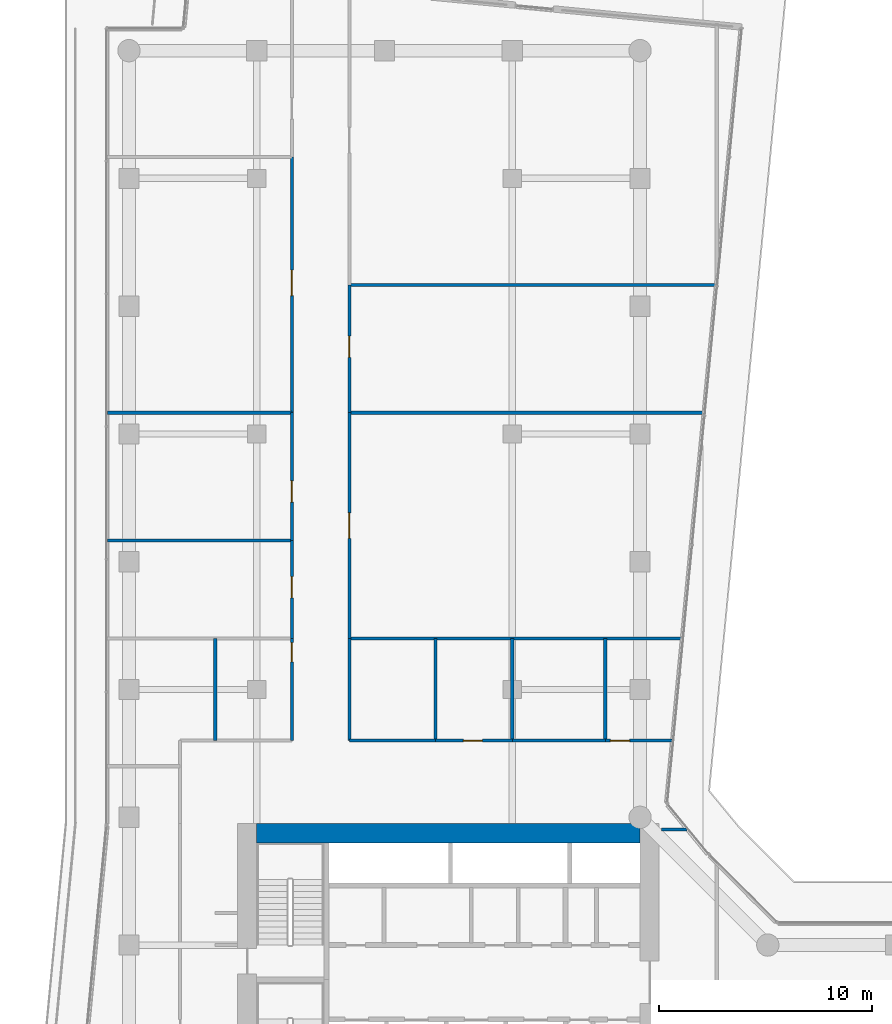
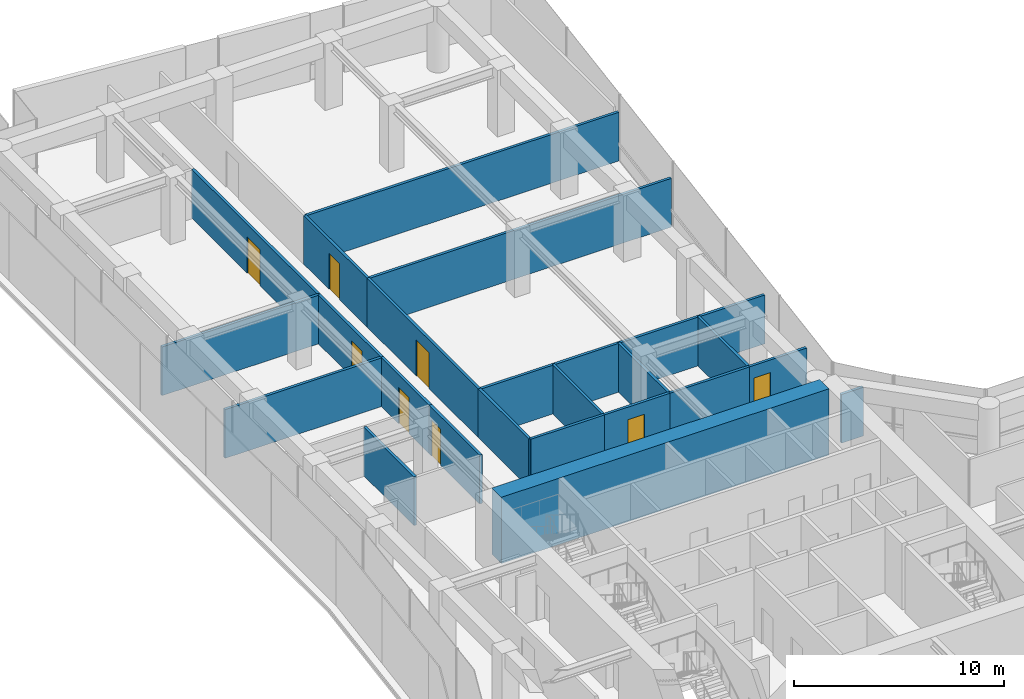
# One storey, part 27 of 31: 22 walls, 8 doors, 8 openings.
"""IFC4 building model written with IfcOpenShell, lengths in metres."""

from ifc_helpers import new_model, si_unit, direction, frame, frame_2d, origin, place, context, subcontext, project, spatial, rectangle, extrude, material, layer, layer_set, type_object, element, fill, save


model = new_model("IFC4")

# Units and contexts
model_context = context("Model", 3, precision=1e-05, world=origin(), true_north=direction((0.0, 1.0)))
body_context = subcontext(model_context, "Body", "Model", "MODEL_VIEW")
ifc_project = project(units=[si_unit("LENGTHUNIT", "METRE"), si_unit("AREAUNIT", "SQUARE_METRE"), si_unit("VOLUMEUNIT", "CUBIC_METRE"), si_unit("PLANEANGLEUNIT", "RADIAN"), si_unit("MASSUNIT", "GRAM", prefix="KILO")], contexts=[model_context])

# Site, building, storey
site_placement = place(None, origin())
site = spatial("IfcSite", under=ifc_project, at=site_placement, CompositionType="ELEMENT")
building_placement = place(site_placement, origin())
building = spatial("IfcBuilding", under=site, at=building_placement, Name="Welwitschia Terrace Campus", CompositionType="ELEMENT")
storey_placement = place(building_placement, frame((0.0, 0.0, 29.0)))
storey = spatial("IfcBuildingStorey", under=building, at=storey_placement, Name="L06", CompositionType="ELEMENT", Elevation=29.0)

# Walls
ifc_material_1 = material(Name="Concrete C70/85", Category="concrete")
ifc_layer_1 = layer(ifc_material_1, 0.89990234375)
ifc_layer_set_1 = layer_set([ifc_layer_1], Name="Concrete C70/85")
wall_type_1 = type_object("IfcWallType", Name="Core wall 900 Concrete C70/85", PredefinedType="SHEAR", material=ifc_layer_set_1)
wall_1_placement = place(storey_placement, frame((6.0, 25.25, 0.0), z_axis=(0.0, 0.0, 1.0), x_axis=(1.0, 0.0, 0.0)))
element("IfcWall", 1, at=wall_1_placement, inside=storey, type_object=wall_type_1, Name="Core outer wall", PredefinedType="SHEAR", context=body_context, shape_type="SweptSolid", body=[
    extrude(rectangle(XDim=18.0, YDim=0.89990234375, at=frame_2d((9.0, 0.0))), origin(), (0.0, 0.0, 1.0), 3.85009765625),
])
ifc_material_2 = material(Name="Gypsum board on steel studs", Category="steel")
ifc_layer_2 = layer(ifc_material_2, 0.14990234375)
ifc_layer_set_2 = layer_set([ifc_layer_2], Name="Gypsum board on steel studs")
wall_type_2 = type_object("IfcWallType", Name="Corridor partition 150 EI 30", PredefinedType="PARTITIONING", material=ifc_layer_set_2)
for number, where, z_axis, x_axis, name in (
    (2, (-1.010009765625, 39.0, 0.0), (0.0, 0.0, 1.0), (1.0, 0.0, 0.0), "Partition"),
    (3, (-1.010009765625, 45.0, 0.0), (0.0, 0.0, 1.0), (1.0, 0.0, 0.0), "Partition"),
):
    element("IfcWall", number, at=place(storey_placement, frame(where, z_axis=z_axis, x_axis=x_axis)), inside=storey, type_object=wall_type_2, Name=name, PredefinedType="PARTITIONING", context=body_context, shape_type="SweptSolid", body=[
        extrude(rectangle(XDim=8.659912109375, YDim=0.14990234375, at=frame_2d((4.330078125, 0.0))), origin(), (0.0, 0.0, 1.0), 2.830078125),
    ])
wall_2_placement = place(storey_placement, frame((4.050048828125, 29.60009765625, 0.0), z_axis=(0.0, 0.0, 1.0), x_axis=(0.0, 1.0, 0.0)))
element("IfcWall", 4, at=wall_2_placement, inside=storey, type_object=wall_type_2, Name="Partition", PredefinedType="PARTITIONING", context=body_context, shape_type="SweptSolid", body=[
    extrude(rectangle(XDim=4.7998046875, YDim=0.14990234375, at=frame_2d((2.39990234375, 0.0))), origin(), (0.0, 0.0, 1.0), 2.830078125),
])

# Wall, opening, door
wall_3_placement = place(storey_placement, frame((7.64990234375, 29.60009765625, 0.0), z_axis=(0.0, 0.0, 1.0), x_axis=(0.0, 1.0, 0.0)))
wall_3 = element("IfcWall", 5, at=wall_3_placement, inside=storey, type_object=wall_type_2, Name="Partition", PredefinedType="PARTITIONING", context=body_context, shape_type="SweptSolid", body=[
    extrude(rectangle(XDim=4.7998046875, YDim=0.14990234375, at=frame_2d((2.39990234375, 0.0))), origin(), (0.0, 0.0, 1.0), 2.830078125),
])
opening_1_placement = place(wall_3_placement, frame((3.699951171875, 0.0, 0.0)))
opening_1 = element("IfcOpeningElement", 6, at=opening_1_placement, cuts=wall_3, Name="Opening DI09", PredefinedType="OPENING", context=body_context, shape_type="SweptSolid", body=[
    extrude(rectangle(XDim=0.89990234375, YDim=2.10009765625, at=frame_2d((0.449951171875, 1.050048828125))), frame((0.0, 0.0849609375, 0.0), z_axis=(0.0, -1.0, 0.0), x_axis=(1.0, 0.0, 0.0)), (0.0, 0.0, 1.0), 0.169921875),
])
ifc_material_3 = material(Name="Timber veneered door", Category="wood")
door_type_1 = type_object("IfcDoorType", Name="Interior door DI09", OperationType="NOTDEFINED", PredefinedType="DOOR", material=ifc_material_3)
door_1_placement = place(opening_1_placement, origin())
door_1 = element("IfcDoor", 7, at=door_1_placement, inside=storey, type_object=door_type_1, Name="Door L06 149", OperationType="SINGLE_SWING_RIGHT", OverallHeight=2.10009765625, OverallWidth=0.89990234375, PredefinedType="DOOR", context=body_context, shape_type="SweptSolid", body=[
    extrude(rectangle(XDim=0.89990234375, YDim=2.10009765625, at=frame_2d((0.449951171875, 1.050048828125))), frame((0.0, 0.02490234375, 0.0), z_axis=(0.0, -1.0, 0.0), x_axis=(1.0, 0.0, 0.0)), (0.0, 0.0, 1.0), 0.050048828125),
])
fill(opening_1, door_1)

wall_4_placement = place(storey_placement, frame((7.64990234375, 34.39990234375, 0.0), z_axis=(0.0, 0.0, 1.0), x_axis=(0.0, 1.0, 0.0)))
wall_4 = element("IfcWall", 8, at=wall_4_placement, inside=storey, type_object=wall_type_2, Name="Partition", PredefinedType="PARTITIONING", context=body_context, shape_type="SweptSolid", body=[
    extrude(rectangle(XDim=4.60009765625, YDim=0.14990234375, at=frame_2d((2.300048828125, 0.0))), origin(), (0.0, 0.0, 1.0), 2.830078125),
])
opening_2_placement = place(wall_4_placement, frame((1.89990234375, 0.0, 0.0)))
opening_2 = element("IfcOpeningElement", 9, at=opening_2_placement, cuts=wall_4, Name="Opening DI10", PredefinedType="OPENING", context=body_context, shape_type="SweptSolid", body=[
    extrude(rectangle(XDim=1.0, YDim=2.10009765625, at=frame_2d((0.5, 1.050048828125))), frame((0.0, 0.0849609375, 0.0), z_axis=(0.0, -1.0, 0.0), x_axis=(1.0, 0.0, 0.0)), (0.0, 0.0, 1.0), 0.169921875),
])
ifc_material_4 = material(Name="Timber veneered door", Category="wood")
door_type_2 = type_object("IfcDoorType", Name="Interior door DI10", OperationType="NOTDEFINED", PredefinedType="DOOR", material=ifc_material_4)
door_2_placement = place(opening_2_placement, origin())
door_2 = element("IfcDoor", 10, at=door_2_placement, inside=storey, type_object=door_type_2, Name="Door L06 150", OperationType="SINGLE_SWING_LEFT", OverallHeight=2.10009765625, OverallWidth=1.0, PredefinedType="DOOR", context=body_context, shape_type="SweptSolid", body=[
    extrude(rectangle(XDim=1.0, YDim=2.10009765625, at=frame_2d((0.5, 1.050048828125))), frame((0.0, 0.02490234375, 0.0), z_axis=(0.0, -1.0, 0.0), x_axis=(1.0, 0.0, 0.0)), (0.0, 0.0, 1.0), 0.050048828125),
])
fill(opening_2, door_2)

wall_5_placement = place(storey_placement, frame((7.64990234375, 39.0, 0.0), z_axis=(0.0, 0.0, 1.0), x_axis=(0.0, 1.0, 0.0)))
wall_5 = element("IfcWall", 11, at=wall_5_placement, inside=storey, type_object=wall_type_2, Name="Partition", PredefinedType="PARTITIONING", context=body_context, shape_type="SweptSolid", body=[
    extrude(rectangle(XDim=6.0, YDim=0.14990234375, at=frame_2d((3.0, 0.0))), origin(), (0.0, 0.0, 1.0), 2.830078125),
])
opening_3_placement = place(wall_5_placement, frame((1.800048828125, 0.0, 0.0)))
opening_3 = element("IfcOpeningElement", 12, at=opening_3_placement, cuts=wall_5, Name="Opening DI10", PredefinedType="OPENING", context=body_context, shape_type="SweptSolid", body=[
    extrude(rectangle(XDim=1.0, YDim=2.10009765625, at=frame_2d((0.5, 1.050048828125))), frame((0.0, 0.0849609375, 0.0), z_axis=(0.0, -1.0, 0.0), x_axis=(1.0, 0.0, 0.0)), (0.0, 0.0, 1.0), 0.169921875),
])
door_3_placement = place(opening_3_placement, origin())
door_3 = element("IfcDoor", 13, at=door_3_placement, inside=storey, type_object=door_type_2, Name="Door L06 151", OperationType="SINGLE_SWING_RIGHT", OverallHeight=2.10009765625, OverallWidth=1.0, PredefinedType="DOOR", context=body_context, shape_type="SweptSolid", body=[
    extrude(rectangle(XDim=1.0, YDim=2.10009765625, at=frame_2d((0.5, 1.050048828125))), frame((0.0, 0.02490234375, 0.0), z_axis=(0.0, -1.0, 0.0), x_axis=(1.0, 0.0, 0.0)), (0.0, 0.0, 1.0), 0.050048828125),
])
fill(opening_3, door_3)

wall_6_placement = place(storey_placement, frame((7.64990234375, 45.0, 0.0), z_axis=(0.0, 0.0, 1.0), x_axis=(0.0, 1.0, 0.0)))
wall_6 = element("IfcWall", 14, at=wall_6_placement, inside=storey, type_object=wall_type_2, Name="Partition", PredefinedType="PARTITIONING", context=body_context, shape_type="SweptSolid", body=[
    extrude(rectangle(XDim=12.0, YDim=0.14990234375, at=frame_2d((6.0, 0.0))), origin(), (0.0, 0.0, 1.0), 2.830078125),
])
opening_4_placement = place(wall_6_placement, frame((5.5, 0.0, 0.0)))
opening_4 = element("IfcOpeningElement", 15, at=opening_4_placement, cuts=wall_6, Name="Opening DI12", PredefinedType="OPENING", context=body_context, shape_type="SweptSolid", body=[
    extrude(rectangle(XDim=1.199951171875, YDim=2.10009765625, at=frame_2d((0.60009765625, 1.050048828125))), frame((0.0, 0.0849609375, 0.0), z_axis=(0.0, -1.0, 0.0), x_axis=(1.0, 0.0, 0.0)), (0.0, 0.0, 1.0), 0.169921875),
])
ifc_material_5 = material(Name="Timber veneered door", Category="wood")
door_type_3 = type_object("IfcDoorType", Name="Interior door DI12", OperationType="NOTDEFINED", PredefinedType="DOOR", material=ifc_material_5)
door_4_placement = place(opening_4_placement, origin())
door_4 = element("IfcDoor", 16, at=door_4_placement, inside=storey, type_object=door_type_3, Name="Door L06 152", OperationType="SINGLE_SWING_LEFT", OverallHeight=2.10009765625, OverallWidth=1.199951171875, PredefinedType="DOOR", context=body_context, shape_type="SweptSolid", body=[
    extrude(rectangle(XDim=1.199951171875, YDim=2.10009765625, at=frame_2d((0.60009765625, 1.050048828125))), frame((0.0, 0.02490234375, 0.0), z_axis=(0.0, -1.0, 0.0), x_axis=(1.0, 0.0, 0.0)), (0.0, 0.0, 1.0), 0.050048828125),
])
fill(opening_4, door_4)

# Walls
wall_7_placement = place(storey_placement, frame((10.35009765625, 29.60009765625, 0.0), z_axis=(0.0, 0.0, 1.0), x_axis=(0.0, 1.0, 0.0)))
element("IfcWall", 17, at=wall_7_placement, inside=storey, type_object=wall_type_2, Name="Partition", PredefinedType="PARTITIONING", context=body_context, shape_type="SweptSolid", body=[
    extrude(rectangle(XDim=4.7998046875, YDim=0.14990234375, at=frame_2d((2.39990234375, 0.0))), origin(), (0.0, 0.0, 1.0), 2.830078125),
])
wall_8_placement = place(storey_placement, frame((10.35009765625, 29.60009765625, 0.0), z_axis=(0.0, 0.0, 1.0), x_axis=(1.0, 0.0, 0.0)))
element("IfcWall", 18, at=wall_8_placement, inside=storey, type_object=wall_type_2, Name="Partition", PredefinedType="PARTITIONING", context=body_context, shape_type="SweptSolid", body=[
    extrude(rectangle(XDim=4.0498046875, YDim=0.14990234375, at=frame_2d((2.02490234375, 0.0))), origin(), (0.0, 0.0, 1.0), 2.830078125),
])
wall_9_placement = place(storey_placement, frame((10.35009765625, 34.39990234375, 0.0), z_axis=(0.0, 0.0, 1.0), x_axis=(1.0, 0.0, 0.0)))
element("IfcWall", 19, at=wall_9_placement, inside=storey, type_object=wall_type_2, Name="Partition", PredefinedType="PARTITIONING", context=body_context, shape_type="SweptSolid", body=[
    extrude(rectangle(XDim=15.619873046875, YDim=0.14990234375, at=frame_2d((7.81005859375, 0.0))), origin(), (0.0, 0.0, 1.0), 2.830078125),
])

# Wall, opening, door
wall_10_placement = place(storey_placement, frame((10.35009765625, 45.0, 0.0), z_axis=(0.0, 0.0, 1.0), x_axis=(0.0, -1.0, 0.0)))
wall_10 = element("IfcWall", 20, at=wall_10_placement, inside=storey, type_object=wall_type_2, Name="Partition", PredefinedType="PARTITIONING", context=body_context, shape_type="SweptSolid", body=[
    extrude(rectangle(XDim=10.60009765625, YDim=0.14990234375, at=frame_2d((5.300048828125, 0.0))), origin(), (0.0, 0.0, 1.0), 2.830078125),
])
opening_5_placement = place(wall_10_placement, frame((4.699951171875, 0.0, 0.0)))
opening_5 = element("IfcOpeningElement", 21, at=opening_5_placement, cuts=wall_10, Name="Opening DI12", PredefinedType="OPENING", context=body_context, shape_type="SweptSolid", body=[
    extrude(rectangle(XDim=1.199951171875, YDim=2.10009765625, at=frame_2d((0.60009765625, 1.050048828125))), frame((0.0, 0.0849609375, 0.0), z_axis=(0.0, -1.0, 0.0), x_axis=(1.0, 0.0, 0.0)), (0.0, 0.0, 1.0), 0.169921875),
])
door_5_placement = place(opening_5_placement, origin())
door_5 = element("IfcDoor", 22, at=door_5_placement, inside=storey, type_object=door_type_3, Name="Door L06 154", OperationType="SINGLE_SWING_LEFT", OverallHeight=2.10009765625, OverallWidth=1.199951171875, PredefinedType="DOOR", context=body_context, shape_type="SweptSolid", body=[
    extrude(rectangle(XDim=1.199951171875, YDim=2.10009765625, at=frame_2d((0.60009765625, 1.050048828125))), frame((0.0, 0.02490234375, 0.0), z_axis=(0.0, -1.0, 0.0), x_axis=(1.0, 0.0, 0.0)), (0.0, 0.0, 1.0), 0.050048828125),
])
fill(opening_5, door_5)

# Wall
wall_11_placement = place(storey_placement, frame((10.35009765625, 45.0, 0.0), z_axis=(0.0, 0.0, 1.0), x_axis=(1.0, 0.0, 0.0)))
element("IfcWall", 23, at=wall_11_placement, inside=storey, type_object=wall_type_2, Name="Partition", PredefinedType="PARTITIONING", context=body_context, shape_type="SweptSolid", body=[
    extrude(rectangle(XDim=16.614501953125, YDim=0.14990234375, at=frame_2d((8.30712890625, 0.0))), origin(), (0.0, 0.0, 1.0), 2.830078125),
])

# Wall, opening, door
wall_12_placement = place(storey_placement, frame((10.35009765625, 51.0, 0.0), z_axis=(0.0, 0.0, 1.0), x_axis=(0.0, -1.0, 0.0)))
wall_12 = element("IfcWall", 24, at=wall_12_placement, inside=storey, type_object=wall_type_2, Name="Partition", PredefinedType="PARTITIONING", context=body_context, shape_type="SweptSolid", body=[
    extrude(rectangle(XDim=6.0, YDim=0.14990234375, at=frame_2d((3.0, 0.0))), origin(), (0.0, 0.0, 1.0), 2.830078125),
])
opening_6_placement = place(wall_12_placement, frame((2.39990234375, 0.0, 0.0)))
opening_6 = element("IfcOpeningElement", 25, at=opening_6_placement, cuts=wall_12, Name="Opening DI10", PredefinedType="OPENING", context=body_context, shape_type="SweptSolid", body=[
    extrude(rectangle(XDim=1.0, YDim=2.10009765625, at=frame_2d((0.5, 1.050048828125))), frame((0.0, 0.0849609375, 0.0), z_axis=(0.0, -1.0, 0.0), x_axis=(1.0, 0.0, 0.0)), (0.0, 0.0, 1.0), 0.169921875),
])
door_6_placement = place(opening_6_placement, origin())
door_6 = element("IfcDoor", 26, at=door_6_placement, inside=storey, type_object=door_type_2, Name="Door L06 155", OperationType="SINGLE_SWING_RIGHT", OverallHeight=2.10009765625, OverallWidth=1.0, PredefinedType="DOOR", context=body_context, shape_type="SweptSolid", body=[
    extrude(rectangle(XDim=1.0, YDim=2.10009765625, at=frame_2d((0.5, 1.050048828125))), frame((0.0, 0.02490234375, 0.0), z_axis=(0.0, -1.0, 0.0), x_axis=(1.0, 0.0, 0.0)), (0.0, 0.0, 1.0), 0.050048828125),
])
fill(opening_6, door_6)

# Walls
wall_13_placement = place(storey_placement, frame((10.35009765625, 51.0, 0.0), z_axis=(0.0, 0.0, 1.0), x_axis=(1.0, 0.0, 0.0)))
element("IfcWall", 27, at=wall_13_placement, inside=storey, type_object=wall_type_2, Name="Partition", PredefinedType="PARTITIONING", context=body_context, shape_type="SweptSolid", body=[
    extrude(rectangle(XDim=17.19921875, YDim=0.14990234375, at=frame_2d((8.599609375, 0.0))), origin(), (0.0, 0.0, 1.0), 2.830078125),
])
wall_14_placement = place(storey_placement, frame((14.39990234375, 29.60009765625, 0.0), z_axis=(0.0, 0.0, 1.0), x_axis=(0.0, 1.0, 0.0)))
element("IfcWall", 28, at=wall_14_placement, inside=storey, type_object=wall_type_2, Name="Partition", PredefinedType="PARTITIONING", context=body_context, shape_type="SweptSolid", body=[
    extrude(rectangle(XDim=4.7998046875, YDim=0.14990234375, at=frame_2d((2.39990234375, 0.0))), origin(), (0.0, 0.0, 1.0), 2.830078125),
])

# Wall, opening, door
wall_15_placement = place(storey_placement, frame((14.39990234375, 29.60009765625, 0.0), z_axis=(0.0, 0.0, 1.0), x_axis=(1.0, 0.0, 0.0)))
wall_15 = element("IfcWall", 29, at=wall_15_placement, inside=storey, type_object=wall_type_2, Name="Partition", PredefinedType="PARTITIONING", context=body_context, shape_type="SweptSolid", body=[
    extrude(rectangle(XDim=3.60009765625, YDim=0.14990234375, at=frame_2d((1.800048828125, 0.0))), origin(), (0.0, 0.0, 1.0), 2.830078125),
])
opening_7_placement = place(wall_15_placement, frame((1.300048828125, 0.0, 0.0)))
opening_7 = element("IfcOpeningElement", 30, at=opening_7_placement, cuts=wall_15, Name="Opening DI09", PredefinedType="OPENING", context=body_context, shape_type="SweptSolid", body=[
    extrude(rectangle(XDim=0.89990234375, YDim=2.10009765625, at=frame_2d((0.449951171875, 1.050048828125))), frame((0.0, 0.0849609375, 0.0), z_axis=(0.0, -1.0, 0.0), x_axis=(1.0, 0.0, 0.0)), (0.0, 0.0, 1.0), 0.169921875),
])
door_7_placement = place(opening_7_placement, origin())
door_7 = element("IfcDoor", 31, at=door_7_placement, inside=storey, type_object=door_type_1, Name="Door L06 157", OperationType="SINGLE_SWING_RIGHT", OverallHeight=2.10009765625, OverallWidth=0.89990234375, PredefinedType="DOOR", context=body_context, shape_type="SweptSolid", body=[
    extrude(rectangle(XDim=0.89990234375, YDim=2.10009765625, at=frame_2d((0.449951171875, 1.050048828125))), frame((0.0, 0.02490234375, 0.0), z_axis=(0.0, -1.0, 0.0), x_axis=(1.0, 0.0, 0.0)), (0.0, 0.0, 1.0), 0.050048828125),
])
fill(opening_7, door_7)

# Walls
wall_16_placement = place(storey_placement, frame((18.0, 29.60009765625, 0.0), z_axis=(0.0, 0.0, 1.0), x_axis=(0.0, 1.0, 0.0)))
element("IfcWall", 32, at=wall_16_placement, inside=storey, type_object=wall_type_2, Name="Partition", PredefinedType="PARTITIONING", context=body_context, shape_type="SweptSolid", body=[
    extrude(rectangle(XDim=4.7998046875, YDim=0.14990234375, at=frame_2d((2.39990234375, 0.0))), origin(), (0.0, 0.0, 1.0), 2.830078125),
])
wall_17_placement = place(storey_placement, frame((18.0, 29.60009765625, 0.0), z_axis=(0.0, 0.0, 1.0), x_axis=(1.0, 0.0, 0.0)))
element("IfcWall", 33, at=wall_17_placement, inside=storey, type_object=wall_type_2, Name="Partition", PredefinedType="PARTITIONING", context=body_context, shape_type="SweptSolid", body=[
    extrude(rectangle(XDim=4.3701171875, YDim=0.14990234375, at=frame_2d((2.18505859375, 0.0))), origin(), (0.0, 0.0, 1.0), 2.830078125),
])
wall_18_placement = place(storey_placement, frame((22.3701171875, 29.60009765625, 0.0), z_axis=(0.0, 0.0, 1.0), x_axis=(0.0, 1.0, 0.0)))
element("IfcWall", 34, at=wall_18_placement, inside=storey, type_object=wall_type_2, Name="Partition", PredefinedType="PARTITIONING", context=body_context, shape_type="SweptSolid", body=[
    extrude(rectangle(XDim=4.7998046875, YDim=0.14990234375, at=frame_2d((2.39990234375, 0.0))), origin(), (0.0, 0.0, 1.0), 2.830078125),
])

# Wall, opening, door
wall_19_placement = place(storey_placement, frame((22.3701171875, 29.60009765625, 0.0), z_axis=(0.0, 0.0, 1.0), x_axis=(1.0, 0.0, 0.0)))
wall_19 = element("IfcWall", 35, at=wall_19_placement, inside=storey, type_object=wall_type_2, Name="Partition", PredefinedType="PARTITIONING", context=body_context, shape_type="SweptSolid", body=[
    extrude(rectangle(XDim=3.139892578125, YDim=0.14990234375, at=frame_2d((1.56982421875, 0.0))), origin(), (0.0, 0.0, 1.0), 2.830078125),
])
opening_8_placement = place(wall_19_placement, frame((0.239990234375, 0.0, 0.0)))
opening_8 = element("IfcOpeningElement", 36, at=opening_8_placement, cuts=wall_19, Name="Opening DI09", PredefinedType="OPENING", context=body_context, shape_type="SweptSolid", body=[
    extrude(rectangle(XDim=0.89990234375, YDim=2.10009765625, at=frame_2d((0.449951171875, 1.050048828125))), frame((0.0, 0.0849609375, 0.0), z_axis=(0.0, -1.0, 0.0), x_axis=(1.0, 0.0, 0.0)), (0.0, 0.0, 1.0), 0.169921875),
])
door_8_placement = place(opening_8_placement, origin())
door_8 = element("IfcDoor", 37, at=door_8_placement, inside=storey, type_object=door_type_1, Name="Door L06 158", OperationType="SINGLE_SWING_LEFT", OverallHeight=2.10009765625, OverallWidth=0.89990234375, PredefinedType="DOOR", context=body_context, shape_type="SweptSolid", body=[
    extrude(rectangle(XDim=0.89990234375, YDim=2.10009765625, at=frame_2d((0.449951171875, 1.050048828125))), frame((0.0, 0.02490234375, 0.0), z_axis=(0.0, -1.0, 0.0), x_axis=(1.0, 0.0, 0.0)), (0.0, 0.0, 1.0), 0.050048828125),
])
fill(opening_8, door_8)

# Wall
wall_20_placement = place(storey_placement, frame((25.0, 25.429931640625, 0.0), z_axis=(0.0, 0.0, 1.0), x_axis=(1.0, 0.0, 0.0)))
element("IfcWall", 38, at=wall_20_placement, inside=storey, type_object=wall_type_2, Name="Partition", PredefinedType="PARTITIONING", context=body_context, shape_type="SweptSolid", body=[
    extrude(rectangle(XDim=1.2099609375, YDim=0.14990234375, at=frame_2d((0.60498046875, 0.0))), origin(), (0.0, 0.0, 1.0), 2.830078125),
])

save(model, "model.ifc")
